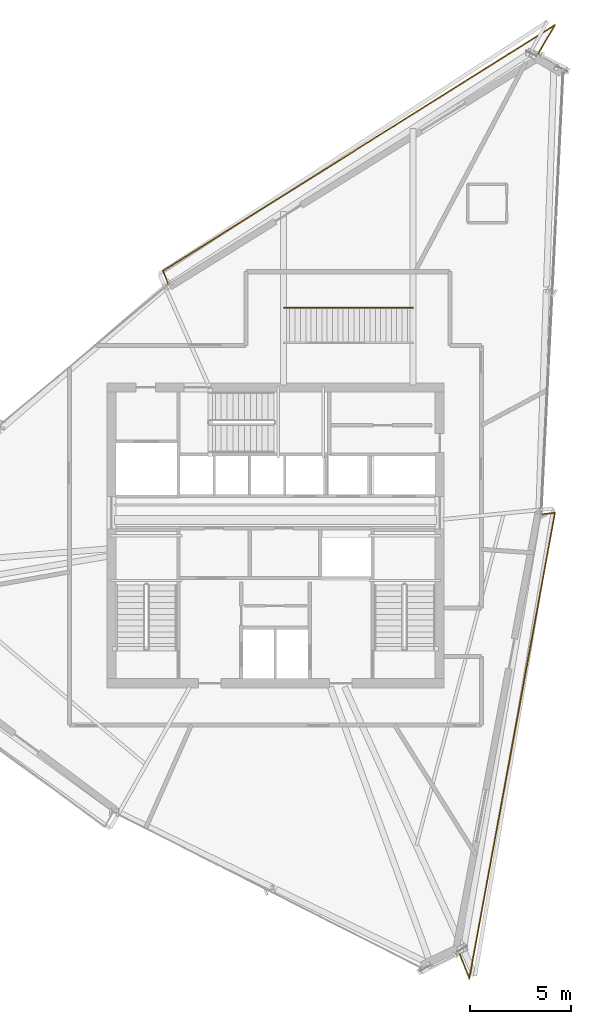
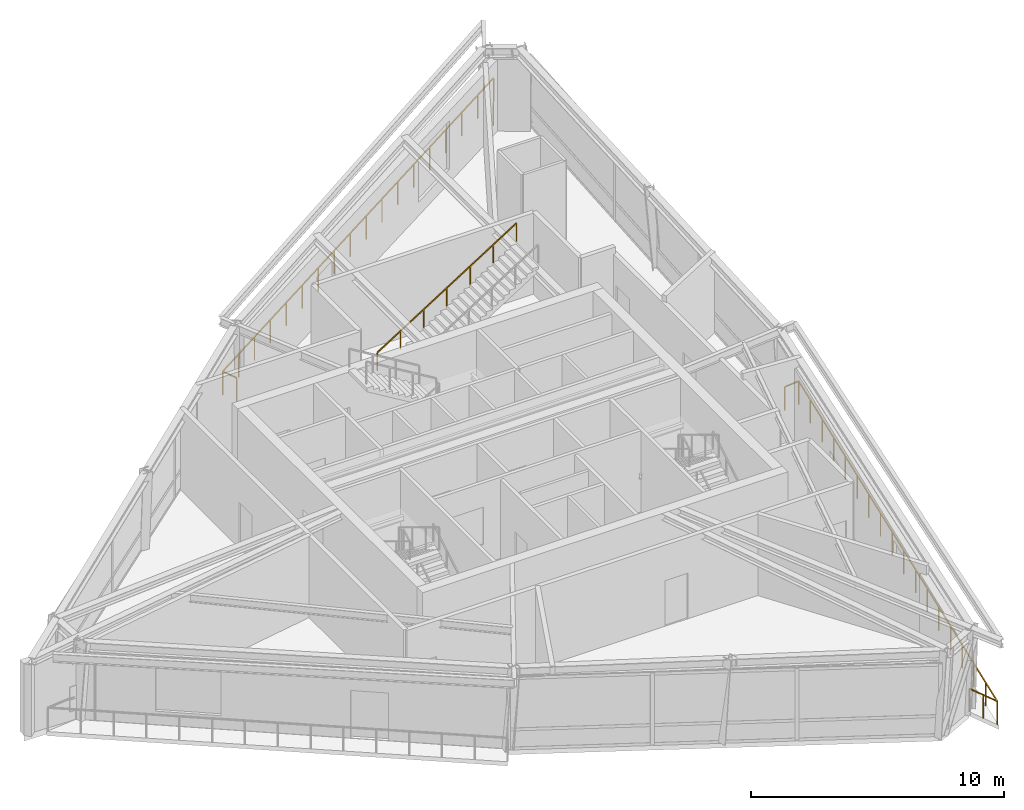
# One storey, part 21 of 21: 3 railings.
"""IFC4 building model written with IfcOpenShell, lengths in metres."""

from ifc_helpers import new_model, si_unit, direction, frame, origin, origin_2d, place, context, subcontext, project, spatial, rectangle, extrude, material, type_object, element, save


model = new_model("IFC4")

# Units and contexts
model_context = context("Model", 3, precision=1e-05, world=origin(), true_north=direction((0.0, 1.0)))
body_context = subcontext(model_context, "Body", "Model", "MODEL_VIEW")
ifc_project = project(units=[si_unit("LENGTHUNIT", "METRE"), si_unit("AREAUNIT", "SQUARE_METRE"), si_unit("VOLUMEUNIT", "CUBIC_METRE"), si_unit("PLANEANGLEUNIT", "RADIAN"), si_unit("MASSUNIT", "GRAM", prefix="KILO")], contexts=[model_context])

# Site, building, storey
site_placement = place(None, origin())
site = spatial("IfcSite", under=ifc_project, at=site_placement, CompositionType="ELEMENT")
building_placement = place(site_placement, origin())
building = spatial("IfcBuilding", under=site, at=building_placement, Name="Olszyna Solenne Hotel", CompositionType="ELEMENT")
storey_placement = place(building_placement, frame((0.0, 0.0, 277.699951171875)))
storey = spatial("IfcBuildingStorey", under=building, at=storey_placement, Name="L74", CompositionType="ELEMENT", Elevation=277.699951171875)

# Railings
ifc_material_1 = material(Name="Anodised bronze aluminium", Category="aluminium")
railing_type_1 = type_object("IfcRailingType", Name="GR-110", PredefinedType="BALUSTRADE", material=ifc_material_1)
railing_1_placement = place(storey_placement, frame((50.9912109375, 50.40869140625, 0.0)))
element("IfcRailing", 1, at=railing_1_placement, inside=storey, type_object=railing_type_1, Name="Loggia balcony balustrade guard GR-L74-LG1", PredefinedType="BALUSTRADE", context=body_context, shape_type="SweptSolid", body=[
    extrude(rectangle(XDim=0.048095703125, YDim=0.048095703125, at=origin_2d()), frame((0.0, 0.0, 1.1259765625), z_axis=(0.5027759587, 0.864416760222, 0.0), x_axis=(-0.864416760222, 0.5027759587, 0.0)), (0.0, 0.0, 1.0), 1.69189453125),
    extrude(rectangle(XDim=0.048095703125, YDim=0.048095703125, at=origin_2d()), frame((0.8505859375, 1.46240234375, 1.1259765625), z_axis=(-0.847118529663, -0.531403986344, 0.0), x_axis=(0.531403986344, -0.847118529663, 0.0)), (0.0, 0.0, 1.0), 22.91650390625),
    extrude(rectangle(XDim=0.048095703125, YDim=0.048095703125, at=origin_2d()), frame((-18.5625, -10.715576171875, 1.1259765625), z_axis=(0.367291930439, -0.930105713258, 0.0), x_axis=(0.930105713258, 0.367291930439, 0.0)), (0.0, 0.0, 1.0), 0.709228515625),
    extrude(rectangle(XDim=0.0419921875, YDim=0.0419921875, at=origin_2d()), origin(), (0.0, 0.0, 1.0), 1.101806640625),
    extrude(rectangle(XDim=0.0419921875, YDim=0.0419921875, at=origin_2d()), frame((0.42529296875, 0.731201171875, 0.0)), (0.0, 0.0, 1.0), 1.101806640625),
    extrude(rectangle(XDim=0.0419921875, YDim=0.0419921875, at=origin_2d()), frame((0.8505859375, 1.46240234375, 0.0)), (0.0, 0.0, 1.0), 1.101806640625),
    extrude(rectangle(XDim=0.0419921875, YDim=0.0419921875, at=origin_2d()), frame((-0.291259765625, 0.74609375, 0.0)), (0.0, 0.0, 1.0), 1.101806640625),
    extrude(rectangle(XDim=0.0419921875, YDim=0.0419921875, at=origin_2d()), frame((-1.433349609375, 0.02978515625, 0.0)), (0.0, 0.0, 1.0), 1.101806640625),
    extrude(rectangle(XDim=0.0419921875, YDim=0.0419921875, at=origin_2d()), frame((-2.5751953125, -0.686767578125, 0.0)), (0.0, 0.0, 1.0), 1.101806640625),
    extrude(rectangle(XDim=0.0419921875, YDim=0.0419921875, at=origin_2d()), frame((-3.71728515625, -1.403076171875, 0.0)), (0.0, 0.0, 1.0), 1.101806640625),
    extrude(rectangle(XDim=0.0419921875, YDim=0.0419921875, at=origin_2d()), frame((-4.859130859375, -2.119384765625, 0.0)), (0.0, 0.0, 1.0), 1.101806640625),
    extrude(rectangle(XDim=0.0419921875, YDim=0.0419921875, at=origin_2d()), frame((-6.0009765625, -2.835693359375, 0.0)), (0.0, 0.0, 1.0), 1.101806640625),
    extrude(rectangle(XDim=0.0419921875, YDim=0.0419921875, at=origin_2d()), frame((-7.14306640625, -3.552001953125, 0.0)), (0.0, 0.0, 1.0), 1.101806640625),
    extrude(rectangle(XDim=0.0419921875, YDim=0.0419921875, at=origin_2d()), frame((-8.284912109375, -4.268310546875, 0.0)), (0.0, 0.0, 1.0), 1.101806640625),
    extrude(rectangle(XDim=0.0419921875, YDim=0.0419921875, at=origin_2d()), frame((-9.427001953125, -4.98486328125, 0.0)), (0.0, 0.0, 1.0), 1.101806640625),
    extrude(rectangle(XDim=0.0419921875, YDim=0.0419921875, at=origin_2d()), frame((-10.56884765625, -5.701171875, 0.0)), (0.0, 0.0, 1.0), 1.101806640625),
    extrude(rectangle(XDim=0.0419921875, YDim=0.0419921875, at=origin_2d()), frame((-11.7109375, -6.41748046875, 0.0)), (0.0, 0.0, 1.0), 1.101806640625),
    extrude(rectangle(XDim=0.0419921875, YDim=0.0419921875, at=origin_2d()), frame((-12.852783203125, -7.1337890625, 0.0)), (0.0, 0.0, 1.0), 1.101806640625),
    extrude(rectangle(XDim=0.0419921875, YDim=0.0419921875, at=origin_2d()), frame((-13.99462890625, -7.85009765625, 0.0)), (0.0, 0.0, 1.0), 1.101806640625),
    extrude(rectangle(XDim=0.0419921875, YDim=0.0419921875, at=origin_2d()), frame((-15.13671875, -8.56640625, 0.0)), (0.0, 0.0, 1.0), 1.101806640625),
    extrude(rectangle(XDim=0.0419921875, YDim=0.0419921875, at=origin_2d()), frame((-16.278564453125, -9.282958984375, 0.0)), (0.0, 0.0, 1.0), 1.101806640625),
    extrude(rectangle(XDim=0.0419921875, YDim=0.0419921875, at=origin_2d()), frame((-17.420654296875, -9.999267578125, 0.0)), (0.0, 0.0, 1.0), 1.101806640625),
    extrude(rectangle(XDim=0.0419921875, YDim=0.0419921875, at=origin_2d()), frame((-18.5625, -10.715576171875, 0.0)), (0.0, 0.0, 1.0), 1.101806640625),
    extrude(rectangle(XDim=0.0419921875, YDim=0.0419921875, at=origin_2d()), frame((-18.302001953125, -11.375244140625, 0.0)), (0.0, 0.0, 1.0), 1.101806640625),
])
railing_2_placement = place(storey_placement, frame((47.077880859375, 5.968994140625, 0.0)))
element("IfcRailing", 2, at=railing_2_placement, inside=storey, type_object=railing_type_1, Name="Loggia balcony balustrade guard GR-L74-LG3", PredefinedType="BALUSTRADE", context=body_context, shape_type="SweptSolid", body=[
    extrude(rectangle(XDim=0.048095703125, YDim=0.048095703125, at=origin_2d()), frame((0.0, 0.0, 1.1259765625), z_axis=(0.367440811827, -0.930046907314, 0.0), x_axis=(0.930046907314, 0.367440811827, 0.0)), (0.0, 0.0, 1.0), 1.41845703125),
    extrude(rectangle(XDim=0.048095703125, YDim=0.048095703125, at=origin_2d()), frame((0.521240234375, -1.3193359375, 1.1259765625), z_axis=(0.180822723005, 0.983515705439, 0.0), x_axis=(-0.983515705439, 0.180822723005, 0.0)), (0.0, 0.0, 1.0), 23.450927734375),
    extrude(rectangle(XDim=0.048095703125, YDim=0.048095703125, at=origin_2d()), frame((4.76171875, 21.7451171875, 1.1259765625), z_axis=(-0.994567360591, -0.104094981849, 0.0), x_axis=(0.104094981849, -0.994567360591, 0.0)), (0.0, 0.0, 1.0), 0.689453125),
    extrude(rectangle(XDim=0.0419921875, YDim=0.0419921875, at=origin_2d()), origin(), (0.0, 0.0, 1.0), 1.101806640625),
    extrude(rectangle(XDim=0.0419921875, YDim=0.0419921875, at=origin_2d()), frame((0.2607421875, -0.65966796875, 0.0)), (0.0, 0.0, 1.0), 1.101806640625),
    extrude(rectangle(XDim=0.0419921875, YDim=0.0419921875, at=origin_2d()), frame((0.521240234375, -1.3193359375, 0.0)), (0.0, 0.0, 1.0), 1.101806640625),
    extrude(rectangle(XDim=0.0419921875, YDim=0.0419921875, at=origin_2d()), frame((0.770751953125, 0.037353515625, 0.0)), (0.0, 0.0, 1.0), 1.101806640625),
    extrude(rectangle(XDim=0.0419921875, YDim=0.0419921875, at=origin_2d()), frame((1.02001953125, 1.39404296875, 0.0)), (0.0, 0.0, 1.0), 1.101806640625),
    extrude(rectangle(XDim=0.0419921875, YDim=0.0419921875, at=origin_2d()), frame((1.26953125, 2.7509765625, 0.0)), (0.0, 0.0, 1.0), 1.101806640625),
    extrude(rectangle(XDim=0.0419921875, YDim=0.0419921875, at=origin_2d()), frame((1.51904296875, 4.107666015625, 0.0)), (0.0, 0.0, 1.0), 1.101806640625),
    extrude(rectangle(XDim=0.0419921875, YDim=0.0419921875, at=origin_2d()), frame((1.7685546875, 5.46435546875, 0.0)), (0.0, 0.0, 1.0), 1.101806640625),
    extrude(rectangle(XDim=0.0419921875, YDim=0.0419921875, at=origin_2d()), frame((2.017822265625, 6.821044921875, 0.0)), (0.0, 0.0, 1.0), 1.101806640625),
    extrude(rectangle(XDim=0.0419921875, YDim=0.0419921875, at=origin_2d()), frame((2.267333984375, 8.177734375, 0.0)), (0.0, 0.0, 1.0), 1.101806640625),
    extrude(rectangle(XDim=0.0419921875, YDim=0.0419921875, at=origin_2d()), frame((2.516845703125, 9.534423828125, 0.0)), (0.0, 0.0, 1.0), 1.101806640625),
    extrude(rectangle(XDim=0.0419921875, YDim=0.0419921875, at=origin_2d()), frame((2.76611328125, 10.891357421875, 0.0)), (0.0, 0.0, 1.0), 1.101806640625),
    extrude(rectangle(XDim=0.0419921875, YDim=0.0419921875, at=origin_2d()), frame((3.015625, 12.248046875, 0.0)), (0.0, 0.0, 1.0), 1.101806640625),
    extrude(rectangle(XDim=0.0419921875, YDim=0.0419921875, at=origin_2d()), frame((3.26513671875, 13.604736328125, 0.0)), (0.0, 0.0, 1.0), 1.101806640625),
    extrude(rectangle(XDim=0.0419921875, YDim=0.0419921875, at=origin_2d()), frame((3.514404296875, 14.96142578125, 0.0)), (0.0, 0.0, 1.0), 1.101806640625),
    extrude(rectangle(XDim=0.0419921875, YDim=0.0419921875, at=origin_2d()), frame((3.763916015625, 16.318115234375, 0.0)), (0.0, 0.0, 1.0), 1.101806640625),
    extrude(rectangle(XDim=0.0419921875, YDim=0.0419921875, at=origin_2d()), frame((4.013427734375, 17.6748046875, 0.0)), (0.0, 0.0, 1.0), 1.101806640625),
    extrude(rectangle(XDim=0.0419921875, YDim=0.0419921875, at=origin_2d()), frame((4.262939453125, 19.03173828125, 0.0)), (0.0, 0.0, 1.0), 1.101806640625),
    extrude(rectangle(XDim=0.0419921875, YDim=0.0419921875, at=origin_2d()), frame((4.51220703125, 20.388427734375, 0.0)), (0.0, 0.0, 1.0), 1.101806640625),
    extrude(rectangle(XDim=0.0419921875, YDim=0.0419921875, at=origin_2d()), frame((4.76171875, 21.7451171875, 0.0)), (0.0, 0.0, 1.0), 1.101806640625),
    extrude(rectangle(XDim=0.0419921875, YDim=0.0419921875, at=origin_2d()), frame((4.075927734375, 21.67333984375, 0.0)), (0.0, 0.0, 1.0), 1.101806640625),
])
ifc_material_2 = material(Name="Steel S355J2", Category="steel")
railing_type_2 = type_object("IfcRailingType", Name="HR-090", PredefinedType="HANDRAIL", material=ifc_material_2)
railing_3_placement = place(storey_placement, frame((38.43994140625, 37.860107421875, 0.16796875)))
element("IfcRailing", 3, at=railing_3_placement, inside=storey, type_object=railing_type_2, Name="Feature stair handrail HR-FS-05-N", PredefinedType="HANDRAIL", context=body_context, shape_type="SweptSolid", body=[
    extrude(rectangle(XDim=0.048095703125, YDim=0.048095703125, at=origin_2d()), frame((0.0, 0.0, 0.8759765625), z_axis=(0.844584029699, 0.0, 0.535423026006), x_axis=(0.0, 1.0, 0.0)), (0.0, 0.0, 1.0), 7.530517578125),
    extrude(rectangle(XDim=0.0419921875, YDim=0.0419921875, at=origin_2d()), origin(), (0.0, 0.0, 1.0), 0.851806640625),
    extrude(rectangle(XDim=0.0419921875, YDim=0.0419921875, at=origin_2d()), frame((1.06005859375, 0.0, 0.671875)), (0.0, 0.0, 1.0), 0.851806640625),
    extrude(rectangle(XDim=0.0419921875, YDim=0.0419921875, at=origin_2d()), frame((2.1201171875, 0.0, 1.343994140625)), (0.0, 0.0, 1.0), 0.851806640625),
    extrude(rectangle(XDim=0.0419921875, YDim=0.0419921875, at=origin_2d()), frame((3.18017578125, 0.0, 2.01611328125)), (0.0, 0.0, 1.0), 0.851806640625),
    extrude(rectangle(XDim=0.0419921875, YDim=0.0419921875, at=origin_2d()), frame((4.239990234375, 0.0, 2.68798828125)), (0.0, 0.0, 1.0), 0.851806640625),
    extrude(rectangle(XDim=0.0419921875, YDim=0.0419921875, at=origin_2d()), frame((5.300048828125, 0.0, 3.35986328125)), (0.0, 0.0, 1.0), 0.851806640625),
    extrude(rectangle(XDim=0.0419921875, YDim=0.0419921875, at=origin_2d()), frame((6.360107421875, 0.0, 4.031982421875)), (0.0, 0.0, 1.0), 0.851806640625),
])

save(model, "model.ifc")
